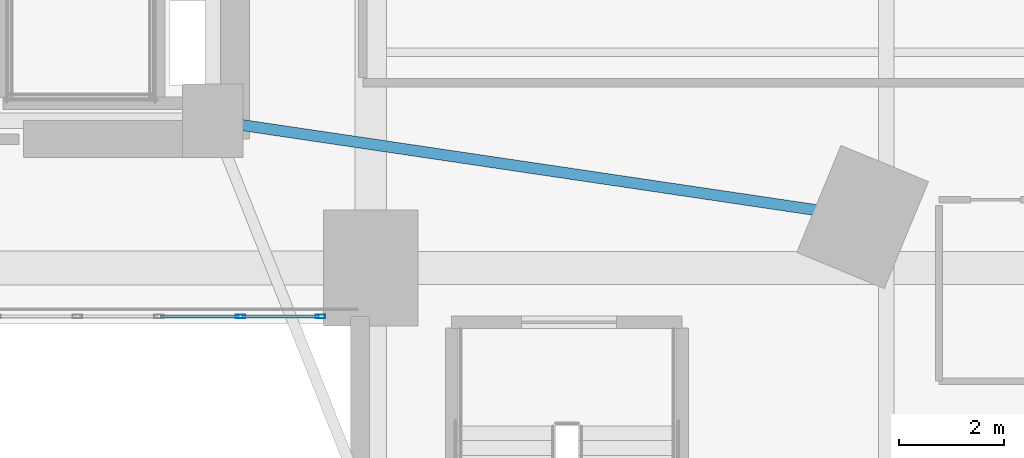
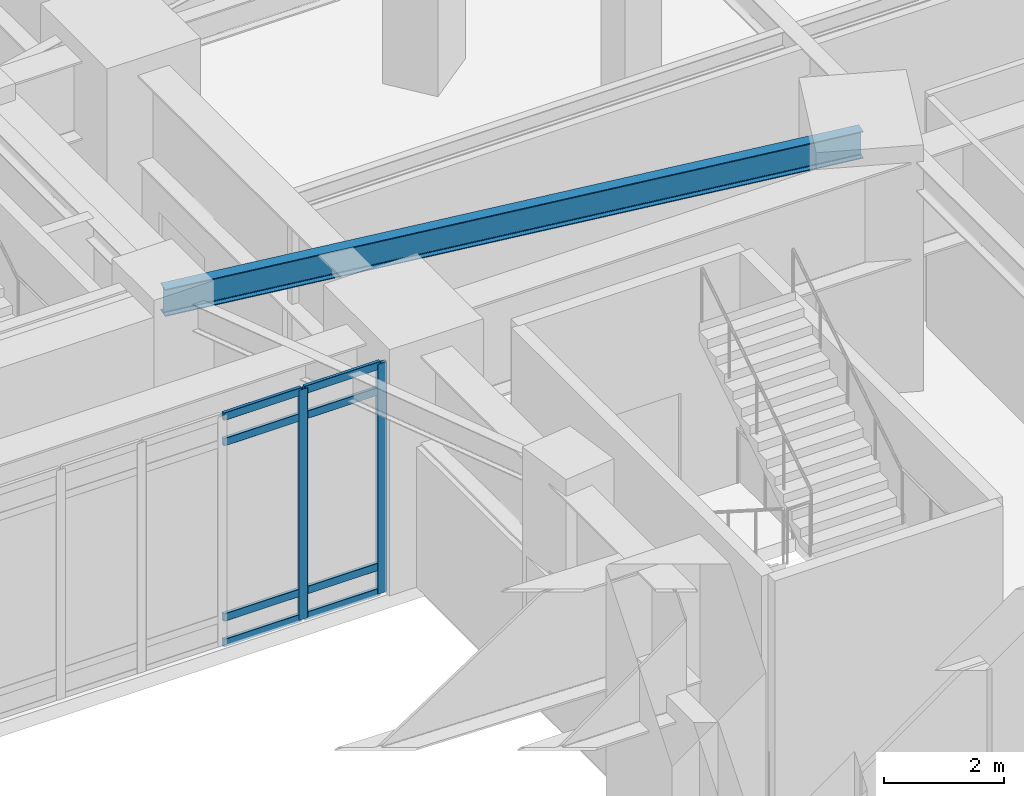
# One storey, part 8 of 25: 10 members, 1 beam, 1 element without a shape of its own.
"""IFC4 building model written with IfcOpenShell, lengths in metres."""

from ifc_helpers import new_model, si_unit, direction, frame, origin, origin_2d, place, context, subcontext, project, spatial, hollow_rectangle, i_section, extrude, material, layer, layer_set, material_profile, profile_set, type_object, element, aggregate, save


model = new_model("IFC4")

# Units and contexts
model_context = context("Model", 3, precision=1e-05, world=origin(), true_north=direction((0.0, 1.0)))
body_context = subcontext(model_context, "Body", "Model", "MODEL_VIEW")
ifc_project = project(units=[si_unit("LENGTHUNIT", "METRE"), si_unit("AREAUNIT", "SQUARE_METRE"), si_unit("VOLUMEUNIT", "CUBIC_METRE"), si_unit("PLANEANGLEUNIT", "RADIAN"), si_unit("MASSUNIT", "GRAM", prefix="KILO")], contexts=[model_context])

# Site, building, storey
site_placement = place(None, origin())
site = spatial("IfcSite", under=ifc_project, at=site_placement, CompositionType="ELEMENT")
building_placement = place(site_placement, origin())
building = spatial("IfcBuilding", under=site, at=building_placement, Name="Ndelora Gate Hotel", CompositionType="ELEMENT")
storey_placement = place(building_placement, frame((0.0, 0.0, 11.0)))
storey = spatial("IfcBuildingStorey", under=building, at=storey_placement, Name="L02", CompositionType="ELEMENT", Elevation=11.0)

# Beam
ifc_material_1 = material(Name="Steel S355", Category="steel")
ifc_material_profile_1 = material_profile(ifc_material_1, i_section(OverallWidth=0.2099609375, OverallDepth=0.550048828125, WebThickness=0.010986328125, FlangeThickness=0.01708984375, FilletRadius=0.02392578125, at=origin_2d()), Name="IPE 550")
ifc_profile_set_1 = profile_set([ifc_material_profile_1], Name="Steel S355")
beam_type = type_object("IfcBeamType", Name="BM-RAD-550", PredefinedType="BEAM", material=ifc_profile_set_1)
beam_placement = place(storey_placement, frame((8.0, -6.60009765625, 4.385009765625), z_axis=(0.989209761041, -0.146506138649, 0.0), x_axis=(0.146506138649, 0.989209761041, 0.0)))
element("IfcBeam", 1, at=beam_placement, inside=storey, type_object=beam_type, Name="L02 Tower Root Radial Tie Beam 9", PredefinedType="BEAM", context=body_context, shape_type="SweptSolid", body=[
    extrude(i_section(OverallWidth=0.2099609375, OverallDepth=0.550048828125, WebThickness=0.010986328125, FlangeThickness=0.01708984375, FilletRadius=0.02392578125, at=origin_2d()), origin(), (0.0, 0.0, 1.0), 12.48486328125),
])

# Curtain wall, members
ifc_material_2 = material(Name="Bronze Anodised Unitised Aluminium and Low-E Glass", Category="aluminium")
ifc_layer = layer(ifc_material_2, 0.239990234375)
ifc_layer_set = layer_set([ifc_layer], Name="Bronze Anodised Unitised Aluminium and Low-E Glass")
curtain_wall_type = type_object("IfcCurtainWallType", Name="CW-SYS-1", PredefinedType="NOTDEFINED", material=ifc_layer_set)
curtain_wall_placement = place(storey_placement, origin())
curtain_wall = element("IfcCurtainWall", 2, at=curtain_wall_placement, inside=storey, type_object=curtain_wall_type, Name="L02 South Portal Arch Concourse Curtain Wall CW1", PredefinedType="NOTDEFINED")
ifc_material_3 = material(Name="Bronze Anodised Aluminium 6063-T6", Category="aluminium")
ifc_material_profile_2 = material_profile(ifc_material_3, hollow_rectangle(XDim=0.070068359375, YDim=0.179931640625, WallThickness=0.0048828125, InnerFilletRadius=0.0048828125, OuterFilletRadius=0.010009765625, at=origin_2d()), Name="ALU 180x70x5")
ifc_profile_set_2 = profile_set([ifc_material_profile_2], Name="Bronze Anodised Aluminium 6063-T6")
member_type_1 = type_object("IfcMemberType", Name="MB-CW-MUL180", PredefinedType="MULLION", material=ifc_profile_set_2)
member_1_placement = place(storey_placement, frame((8.529296875, -10.320068359375, -0.00390625), z_axis=(0.0, 0.0, 1.0), x_axis=(0.0, 1.0, 0.0)))
member_1 = element("IfcMember", 3, at=member_1_placement, type_object=member_type_1, Name="CW1 mullion 13", PredefinedType="MULLION", context=body_context, shape_type="SweptSolid", body=[
    extrude(hollow_rectangle(XDim=0.070068359375, YDim=0.179931640625, WallThickness=0.0048828125, InnerFilletRadius=0.0048828125, OuterFilletRadius=0.010009765625, at=origin_2d()), origin(), (0.0, 0.0, 1.0), 4.66796875),
])
member_2_placement = place(storey_placement, frame((10.044921875, -10.320068359375, -0.00390625), z_axis=(0.0, 0.0, 1.0), x_axis=(0.0, 1.0, 0.0)))
member_2 = element("IfcMember", 4, at=member_2_placement, type_object=member_type_1, Name="CW1 mullion 14", PredefinedType="MULLION", context=body_context, shape_type="SweptSolid", body=[
    extrude(hollow_rectangle(XDim=0.070068359375, YDim=0.179931640625, WallThickness=0.0048828125, InnerFilletRadius=0.0048828125, OuterFilletRadius=0.010009765625, at=origin_2d()), origin(), (0.0, 0.0, 1.0), 4.66796875),
])
ifc_material_profile_3 = material_profile(ifc_material_3, hollow_rectangle(XDim=0.06494140625, YDim=0.159912109375, WallThickness=0.00390625, InnerFilletRadius=0.00390625, OuterFilletRadius=0.008056640625, at=origin_2d()), Name="ALU 160x65x4")
ifc_profile_set_3 = profile_set([ifc_material_profile_3], Name="Bronze Anodised Aluminium 6063-T6")
member_type_2 = type_object("IfcMemberType", Name="MB-CW-TRN150", PredefinedType="USERDEFINED", material=ifc_profile_set_3)
member_3_placement = place(storey_placement, frame((7.007568359375, -10.320068359375, 0.032470703125), z_axis=(1.0, 0.0, 0.0), x_axis=(0.0, 1.0, 0.0)))
member_3 = element("IfcMember", 5, at=member_3_placement, type_object=member_type_2, Name="CW1 transom 12.1", ObjectType="TRANSOM", PredefinedType="USERDEFINED", context=body_context, shape_type="SweptSolid", body=[
    extrude(hollow_rectangle(XDim=0.06494140625, YDim=0.159912109375, WallThickness=0.00390625, InnerFilletRadius=0.00390625, OuterFilletRadius=0.008056640625, at=origin_2d()), origin(), (0.0, 0.0, 1.0), 1.49267578125),
])
member_4_placement = place(storey_placement, frame((7.007568359375, -10.320068359375, 0.550048828125), z_axis=(1.0, 0.0, 0.0), x_axis=(0.0, 1.0, 0.0)))
member_4 = element("IfcMember", 6, at=member_4_placement, type_object=member_type_2, Name="CW1 transom 12.2", ObjectType="TRANSOM", PredefinedType="USERDEFINED", context=body_context, shape_type="SweptSolid", body=[
    extrude(hollow_rectangle(XDim=0.06494140625, YDim=0.159912109375, WallThickness=0.00390625, InnerFilletRadius=0.00390625, OuterFilletRadius=0.008056640625, at=origin_2d()), origin(), (0.0, 0.0, 1.0), 1.49267578125),
])
member_5_placement = place(storey_placement, frame((7.007568359375, -10.320068359375, 4.110107421875), z_axis=(1.0, 0.0, 0.0), x_axis=(0.0, 1.0, 0.0)))
member_5 = element("IfcMember", 7, at=member_5_placement, type_object=member_type_2, Name="CW1 transom 12.3", ObjectType="TRANSOM", PredefinedType="USERDEFINED", context=body_context, shape_type="SweptSolid", body=[
    extrude(hollow_rectangle(XDim=0.06494140625, YDim=0.159912109375, WallThickness=0.00390625, InnerFilletRadius=0.00390625, OuterFilletRadius=0.008056640625, at=origin_2d()), origin(), (0.0, 0.0, 1.0), 1.49267578125),
])
member_6_placement = place(storey_placement, frame((7.007568359375, -10.320068359375, 4.62744140625), z_axis=(1.0, 0.0, 0.0), x_axis=(0.0, 1.0, 0.0)))
member_6 = element("IfcMember", 8, at=member_6_placement, type_object=member_type_2, Name="CW1 transom 12.4", ObjectType="TRANSOM", PredefinedType="USERDEFINED", context=body_context, shape_type="SweptSolid", body=[
    extrude(hollow_rectangle(XDim=0.06494140625, YDim=0.159912109375, WallThickness=0.00390625, InnerFilletRadius=0.00390625, OuterFilletRadius=0.008056640625, at=origin_2d()), origin(), (0.0, 0.0, 1.0), 1.49267578125),
])
member_7_placement = place(storey_placement, frame((8.558349609375, -10.320068359375, 0.032470703125), z_axis=(1.0, 0.0, 0.0), x_axis=(0.0, 1.0, 0.0)))
member_7 = element("IfcMember", 9, at=member_7_placement, type_object=member_type_2, Name="CW1 transom 13.1", ObjectType="TRANSOM", PredefinedType="USERDEFINED", context=body_context, shape_type="SweptSolid", body=[
    extrude(hollow_rectangle(XDim=0.06494140625, YDim=0.159912109375, WallThickness=0.00390625, InnerFilletRadius=0.00390625, OuterFilletRadius=0.008056640625, at=origin_2d()), origin(), (0.0, 0.0, 1.0), 1.457763671875),
])
member_8_placement = place(storey_placement, frame((8.558349609375, -10.320068359375, 0.550048828125), z_axis=(1.0, 0.0, 0.0), x_axis=(0.0, 1.0, 0.0)))
member_8 = element("IfcMember", 10, at=member_8_placement, type_object=member_type_2, Name="CW1 transom 13.2", ObjectType="TRANSOM", PredefinedType="USERDEFINED", context=body_context, shape_type="SweptSolid", body=[
    extrude(hollow_rectangle(XDim=0.06494140625, YDim=0.159912109375, WallThickness=0.00390625, InnerFilletRadius=0.00390625, OuterFilletRadius=0.008056640625, at=origin_2d()), origin(), (0.0, 0.0, 1.0), 1.457763671875),
])
member_9_placement = place(storey_placement, frame((8.558349609375, -10.320068359375, 4.110107421875), z_axis=(1.0, 0.0, 0.0), x_axis=(0.0, 1.0, 0.0)))
member_9 = element("IfcMember", 11, at=member_9_placement, type_object=member_type_2, Name="CW1 transom 13.3", ObjectType="TRANSOM", PredefinedType="USERDEFINED", context=body_context, shape_type="SweptSolid", body=[
    extrude(hollow_rectangle(XDim=0.06494140625, YDim=0.159912109375, WallThickness=0.00390625, InnerFilletRadius=0.00390625, OuterFilletRadius=0.008056640625, at=origin_2d()), origin(), (0.0, 0.0, 1.0), 1.457763671875),
])
member_10_placement = place(storey_placement, frame((8.558349609375, -10.320068359375, 4.62744140625), z_axis=(1.0, 0.0, 0.0), x_axis=(0.0, 1.0, 0.0)))
member_10 = element("IfcMember", 12, at=member_10_placement, type_object=member_type_2, Name="CW1 transom 13.4", ObjectType="TRANSOM", PredefinedType="USERDEFINED", context=body_context, shape_type="SweptSolid", body=[
    extrude(hollow_rectangle(XDim=0.06494140625, YDim=0.159912109375, WallThickness=0.00390625, InnerFilletRadius=0.00390625, OuterFilletRadius=0.008056640625, at=origin_2d()), origin(), (0.0, 0.0, 1.0), 1.457763671875),
])
aggregate(curtain_wall, [member_1, member_2, member_3, member_4, member_5, member_6, member_7, member_8, member_9, member_10])

save(model, "model.ifc")
